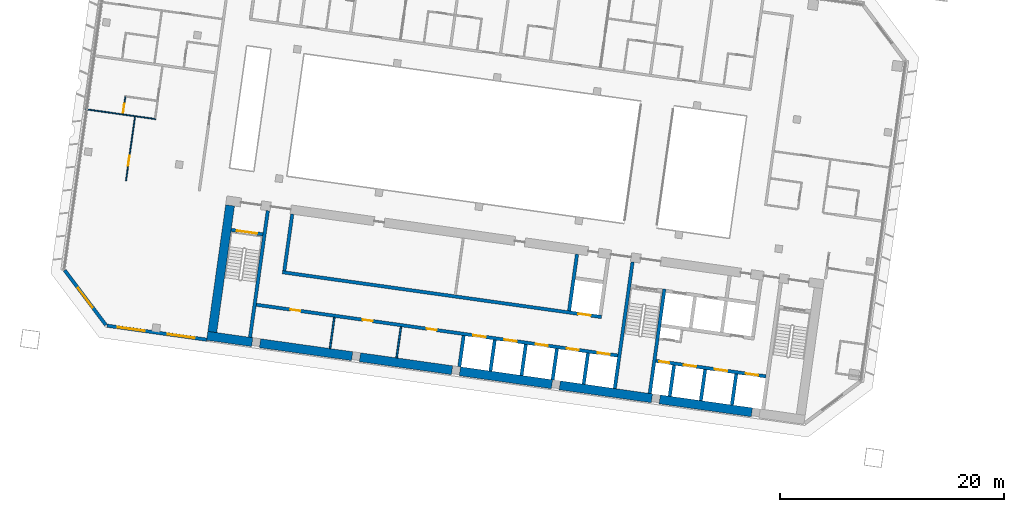
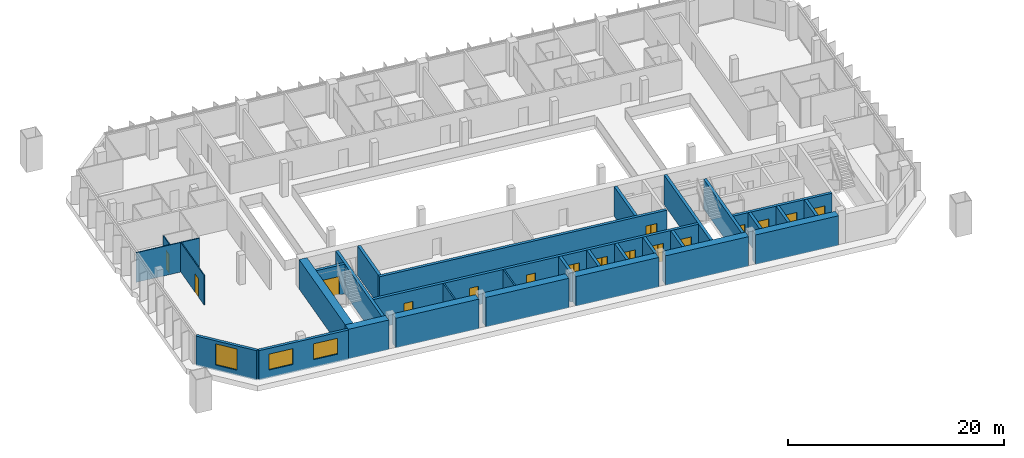
# One storey, part 15 of 26: 31 walls, 16 doors, 3 windows, 19 openings.
"""IFC4 building model written with IfcOpenShell, lengths in metres."""

from ifc_helpers import new_model, si_unit, direction, frame, frame_2d, origin, place, context, subcontext, project, spatial, rectangle, extrude, material, layer, layer_set, type_object, element, fill, save


model = new_model("IFC4")

# Units and contexts
model_context = context("Model", 3, precision=1e-05, world=origin(), true_north=direction((0.0, 1.0)))
body_context = subcontext(model_context, "Body", "Model", "MODEL_VIEW")
ifc_project = project(units=[si_unit("LENGTHUNIT", "METRE"), si_unit("AREAUNIT", "SQUARE_METRE"), si_unit("VOLUMEUNIT", "CUBIC_METRE"), si_unit("PLANEANGLEUNIT", "RADIAN"), si_unit("MASSUNIT", "GRAM", prefix="KILO")], contexts=[model_context])

# Site, building, storey
site_placement = place(None, origin())
site = spatial("IfcSite", under=ifc_project, at=site_placement, CompositionType="ELEMENT")
building_placement = place(site_placement, origin())
building = spatial("IfcBuilding", under=site, at=building_placement, Name="Mirante Cascada Hotel Towers", CompositionType="ELEMENT")
storey_placement = place(building_placement, frame((0.0, 0.0, 144.3)))
storey = spatial("IfcBuildingStorey", under=building, at=storey_placement, Name="L33", CompositionType="ELEMENT", Elevation=144.3)

# Walls
ifc_material_1 = material(Name="Masonry block", Category="masonry")
ifc_layer_1 = layer(ifc_material_1, 0.15)
ifc_layer_set_1 = layer_set([ifc_layer_1], Name="Core room partition 150 block EI 30")
wall_type_1 = type_object("IfcWallType", Name="Core room partition 150 block EI 30", PredefinedType="PARTITIONING", material=ifc_layer_set_1)
wall_1_placement = place(storey_placement, frame((-73.5161, -14.1621, 0.0), z_axis=(0.0, 0.0, 1.0), x_axis=(0.139176, 0.9902677, 0.0)))
element("IfcWall", 1, at=wall_1_placement, inside=storey, type_object=wall_type_1, Name="Core wall partition T1 L33 4", PredefinedType="PARTITIONING", context=body_context, shape_type="SweptSolid", body=[
    extrude(rectangle(XDim=2.8001, YDim=0.15, at=frame_2d((1.4, 0.0))), origin(), (0.0, 0.0, 1.0), 3.35),
])
wall_2_placement = place(storey_placement, frame((-79.4577, -13.327, 0.0), z_axis=(0.0, 0.0, 1.0), x_axis=(0.1391459, 0.9902719, 0.0)))
element("IfcWall", 2, at=wall_2_placement, inside=storey, type_object=wall_type_1, Name="Core wall partition T1 L33 5", PredefinedType="PARTITIONING", context=body_context, shape_type="SweptSolid", body=[
    extrude(rectangle(XDim=2.7999, YDim=0.15, at=frame_2d((1.4, 0.0))), origin(), (0.0, 0.0, 1.0), 3.35),
])
ifc_material_2 = material(Name="Plasterboard on metal studs")
ifc_layer_2 = layer(ifc_material_2, 0.1)
ifc_layer_set_2 = layer_set([ifc_layer_2], Name="Partition 100")
wall_type_2 = type_object("IfcWallType", Name="Partition 100", PredefinedType="PARTITIONING", material=ifc_layer_set_2)
wall_3_placement = place(storey_placement, frame((-101.2993, 8.0205, 0.0), z_axis=(0.0, 0.0, 1.0), x_axis=(0.990267, -0.139181, 0.0)))
element("IfcWall", 3, at=wall_3_placement, inside=storey, type_object=wall_type_2, Name="Wall 1-L33-07", PredefinedType="PARTITIONING", context=body_context, shape_type="SweptSolid", body=[
    extrude(rectangle(XDim=6.35, YDim=0.1, at=frame_2d((3.175, 0.0))), origin(), (0.0, 0.0, 1.0), 3.35),
])

# Wall, opening, door
wall_4_placement = place(storey_placement, frame((-96.8501, 7.3447, 0.0), z_axis=(0.0, 0.0, 1.0), x_axis=(-0.139164, -0.9902694, 0.0)))
wall_4 = element("IfcWall", 4, at=wall_4_placement, inside=storey, type_object=wall_type_2, Name="Wall 1-L33-61", PredefinedType="PARTITIONING", context=body_context, shape_type="SweptSolid", body=[
    extrude(rectangle(XDim=5.7501, YDim=0.1, at=frame_2d((2.875, 0.0))), origin(), (0.0, 0.0, 1.0), 3.35),
])
opening_1_placement = place(wall_4_placement, frame((3.5167, 0.0, 0.0)))
opening_1 = element("IfcOpeningElement", 5, at=opening_1_placement, cuts=wall_4, Name="Opening D1-L33-37", PredefinedType="OPENING", context=body_context, shape_type="SweptSolid", body=[
    extrude(rectangle(XDim=0.9, YDim=2.1, at=frame_2d((0.45, 1.05))), frame((0.0, 0.05, 0.0), z_axis=(0.0, -1.0, 0.0), x_axis=(1.0, 0.0, 0.0)), (0.0, 0.0, 1.0), 0.1),
])
ifc_material_3 = material(Name="Timber door leaf", Category="wood")
door_type_1 = type_object("IfcDoorType", Name="Room door DG3 900x2100", OperationType="SINGLE_SWING_LEFT", PredefinedType="DOOR", material=ifc_material_3)
door_1_placement = place(opening_1_placement, origin())
door_1 = element("IfcDoor", 6, at=door_1_placement, inside=storey, type_object=door_type_1, Name="Door D1-L33-37", OperationType="SINGLE_SWING_LEFT", OverallHeight=2.1, OverallWidth=0.9, PredefinedType="DOOR", context=body_context, shape_type="SweptSolid", body=[
    extrude(rectangle(XDim=0.9, YDim=2.1, at=frame_2d((0.45, 1.05))), frame((0.0, 0.025, 0.0), z_axis=(0.0, -1.0, 0.0), x_axis=(1.0, 0.0, 0.0)), (0.0, 0.0, 1.0), 0.05),
])
fill(opening_1, door_1)

wall_5_placement = place(storey_placement, frame((-97.712, 9.1152, 0.0), z_axis=(0.0, 0.0, 1.0), x_axis=(-0.1391749, -0.9902678, 0.0)))
wall_5 = element("IfcWall", 7, at=wall_5_placement, inside=storey, type_object=wall_type_2, Name="Wall 1-L33-63", PredefinedType="PARTITIONING", context=body_context, shape_type="SweptSolid", body=[
    extrude(rectangle(XDim=1.5333, YDim=0.1, at=frame_2d((0.7667, 0.0))), origin(), (0.0, 0.0, 1.0), 3.35),
])
opening_2_placement = place(wall_5_placement, frame((0.6333, 0.0, 0.0)))
opening_2 = element("IfcOpeningElement", 8, at=opening_2_placement, cuts=wall_5, Name="Opening D1-L33-39", PredefinedType="OPENING", context=body_context, shape_type="SweptSolid", body=[
    extrude(rectangle(XDim=0.8, YDim=2.1, at=frame_2d((0.4, 1.05))), frame((0.0, 0.05, 0.0), z_axis=(0.0, -1.0, 0.0), x_axis=(1.0, 0.0, 0.0)), (0.0, 0.0, 1.0), 0.1),
])
ifc_material_4 = material(Name="Timber door leaf", Category="wood")
door_type_2 = type_object("IfcDoorType", Name="Bathroom door DG4 800x2100", OperationType="SINGLE_SWING_LEFT", PredefinedType="DOOR", material=ifc_material_4)
door_2_placement = place(opening_2_placement, frame((0.8, 0.0, 0.0), z_axis=(0.0, 0.0, 1.0), x_axis=(-1.0, 0.0, 0.0)))
door_2 = element("IfcDoor", 9, at=door_2_placement, inside=storey, type_object=door_type_2, Name="Door D1-L33-39", OperationType="SINGLE_SWING_RIGHT", OverallHeight=2.1, OverallWidth=0.8, PredefinedType="DOOR", context=body_context, shape_type="SweptSolid", body=[
    extrude(rectangle(XDim=0.8, YDim=2.1, at=frame_2d((0.4, 1.05))), frame((0.0, 0.025, 0.0), z_axis=(0.0, -1.0, 0.0), x_axis=(1.0, 0.0, 0.0)), (0.0, 0.0, 1.0), 0.05),
])
fill(opening_2, door_2)

# Wall, openings, windows
ifc_material_5 = material(Name="Precast concrete C40/50", Category="concrete")
ifc_layer_3 = layer(ifc_material_5, 0.3)
ifc_layer_set_3 = layer_set([ifc_layer_3], Name="Precast concrete C40/50 cladding wall 300")
wall_type_3 = type_object("IfcWallType", Name="Precast concrete C40/50 cladding wall 300", PredefinedType="STANDARD", material=ifc_layer_set_3)
wall_6_placement = place(storey_placement, frame((-90.4551, -12.5388, 0.0), z_axis=(0.0, 0.0, 1.0), x_axis=(-0.9902678, 0.1391749, 0.0)))
wall_6 = element("IfcWall", 10, at=wall_6_placement, inside=storey, type_object=wall_type_3, Name="Rear cladding wall T1 L33 1", PredefinedType="STANDARD", context=body_context, shape_type="SweptSolid", body=[
    extrude(rectangle(XDim=8.9758, YDim=0.3, at=frame_2d((4.4879, 0.0))), origin(), (0.0, 0.0, 1.0), 3.35),
])
opening_3_placement = place(wall_6_placement, frame((1.1012, 0.0, 0.9)))
opening_3 = element("IfcOpeningElement", 11, at=opening_3_placement, cuts=wall_6, Name="Opening W1-33-01", PredefinedType="OPENING", context=body_context, shape_type="SweptSolid", body=[
    extrude(rectangle(XDim=2.4, YDim=1.8, at=frame_2d((1.2, 0.9))), frame((0.0, 0.15, 0.0), z_axis=(0.0, -1.0, 0.0), x_axis=(1.0, 0.0, 0.0)), (0.0, 0.0, 1.0), 0.3),
])
opening_4_placement = place(wall_6_placement, frame((5.5923, 0.0, 0.9)))
opening_4 = element("IfcOpeningElement", 12, at=opening_4_placement, cuts=wall_6, Name="Opening W1-33-02", PredefinedType="OPENING", context=body_context, shape_type="SweptSolid", body=[
    extrude(rectangle(XDim=2.4, YDim=1.8, at=frame_2d((1.2, 0.9))), frame((0.0, 0.15, 0.0), z_axis=(0.0, -1.0, 0.0), x_axis=(1.0, 0.0, 0.0)), (0.0, 0.0, 1.0), 0.3),
])
ifc_material_6 = material(Name="Aluminium frame with clear double glazing", Category="aluminium")
window_type_1 = type_object("IfcWindowType", Name="Punched window 2400x1800", PartitioningType="DOUBLE_PANEL_VERTICAL", PredefinedType="WINDOW", material=ifc_material_6)
window_1_placement = place(opening_3_placement, origin())
window_1 = element("IfcWindow", 13, at=window_1_placement, inside=storey, type_object=window_type_1, Name="Window W1-33-01", OverallHeight=1.8, OverallWidth=2.4, PartitioningType="SINGLE_PANEL", PredefinedType="WINDOW", context=body_context, shape_type="SweptSolid", body=[
    extrude(rectangle(XDim=2.4, YDim=1.8, at=frame_2d((1.2, 0.9))), frame((0.0, 0.03, 0.0), z_axis=(0.0, -1.0, 0.0), x_axis=(1.0, 0.0, 0.0)), (0.0, 0.0, 1.0), 0.06),
])
fill(opening_3, window_1)
window_2_placement = place(opening_4_placement, origin())
window_2 = element("IfcWindow", 14, at=window_2_placement, inside=storey, type_object=window_type_1, Name="Window W1-33-02", OverallHeight=1.8, OverallWidth=2.4, PartitioningType="SINGLE_PANEL", PredefinedType="WINDOW", context=body_context, shape_type="SweptSolid", body=[
    extrude(rectangle(XDim=2.4, YDim=1.8, at=frame_2d((1.2, 0.9))), frame((0.0, 0.03, 0.0), z_axis=(0.0, -1.0, 0.0), x_axis=(1.0, 0.0, 0.0)), (0.0, 0.0, 1.0), 0.06),
])
fill(opening_4, window_2)

# Wall, opening, window
wall_7_placement = place(storey_placement, frame((-99.4424, -11.2313, 0.0), z_axis=(0.0, 0.0, 1.0), x_axis=(-0.6018194, 0.7986322, 0.0)))
wall_7 = element("IfcWall", 15, at=wall_7_placement, inside=storey, type_object=wall_type_3, Name="Corner cladding wall T1 L33 rear outer", PredefinedType="STANDARD", context=body_context, shape_type="SweptSolid", body=[
    extrude(rectangle(XDim=6.1155, YDim=0.3, at=frame_2d((3.0578, 0.0))), origin(), (0.0, 0.0, 1.0), 3.35),
])
opening_5_placement = place(wall_7_placement, frame((1.9576, 0.0, 0.6)))
opening_5 = element("IfcOpeningElement", 16, at=opening_5_placement, cuts=wall_7, Name="Opening W1-33-03", PredefinedType="OPENING", context=body_context, shape_type="SweptSolid", body=[
    extrude(rectangle(XDim=2.2, YDim=2.4, at=frame_2d((1.1, 1.2))), frame((0.0, 0.15, 0.0), z_axis=(0.0, -1.0, 0.0), x_axis=(1.0, 0.0, 0.0)), (0.0, 0.0, 1.0), 0.3),
])
ifc_material_7 = material(Name="Aluminium frame with clear double glazing", Category="aluminium")
window_type_2 = type_object("IfcWindowType", Name="Corner suite window 2200x2400", PartitioningType="DOUBLE_PANEL_VERTICAL", PredefinedType="WINDOW", material=ifc_material_7)
window_3_placement = place(opening_5_placement, origin())
window_3 = element("IfcWindow", 17, at=window_3_placement, inside=storey, type_object=window_type_2, Name="Window W1-33-03", OverallHeight=2.4, OverallWidth=2.2, PartitioningType="SINGLE_PANEL", PredefinedType="WINDOW", context=body_context, shape_type="SweptSolid", body=[
    extrude(rectangle(XDim=2.2, YDim=2.4, at=frame_2d((1.1, 1.2))), frame((0.0, 0.03, 0.0), z_axis=(0.0, -1.0, 0.0), x_axis=(1.0, 0.0, 0.0)), (0.0, 0.0, 1.0), 0.06),
])
fill(opening_5, window_3)

# Walls
ifc_material_8 = material(Name="Concrete C50/60", Category="concrete")
ifc_layer_4 = layer(ifc_material_8, 0.3)
ifc_layer_set_4 = layer_set([ifc_layer_4], Name="RC core wall 300 C50/60")
wall_type_4 = type_object("IfcWallType", Name="RC core wall 300 C50/60", PredefinedType="SHEAR", material=ifc_layer_set_4)
wall_8_placement = place(storey_placement, frame((-50.938, -17.3352, 0.0), z_axis=(0.0, 0.0, 1.0), x_axis=(0.1391706, 0.9902684, 0.0)))
element("IfcWall", 18, at=wall_8_placement, inside=storey, type_object=wall_type_4, Name="Core wall T1:L33:6", PredefinedType="SHEAR", context=body_context, shape_type="SweptSolid", body=[
    extrude(rectangle(XDim=9.4, YDim=0.3, at=frame_2d((4.7, 0.0))), origin(), (0.0, 0.0, 1.0), 3.35),
])
wall_9_placement = place(storey_placement, frame((-54.0574, -16.8968, 0.0), z_axis=(0.0, 0.0, 1.0), x_axis=(0.1391761, 0.9902677, 0.0)))
element("IfcWall", 19, at=wall_9_placement, inside=storey, type_object=wall_type_4, Name="Core wall T1:L33:7", PredefinedType="SHEAR", context=body_context, shape_type="SweptSolid", body=[
    extrude(rectangle(XDim=11.3999, YDim=0.3, at=frame_2d((5.7, 0.0))), origin(), (0.0, 0.0, 1.0), 3.35),
])
wall_10_placement = place(storey_placement, frame((-86.5877, -12.325, 0.0), z_axis=(0.0, 0.0, 1.0), x_axis=(0.1391749, 0.9902678, 0.0)))
element("IfcWall", 20, at=wall_10_placement, inside=storey, type_object=wall_type_4, Name="Core wall T1:L33:8", PredefinedType="SHEAR", context=body_context, shape_type="SweptSolid", body=[
    extrude(rectangle(XDim=11.4, YDim=0.3, at=frame_2d((5.7, 0.0))), origin(), (0.0, 0.0, 1.0), 3.35),
])

# Wall, opening, door
wall_11_placement = place(storey_placement, frame((-85.4489, -3.1441, 0.0), z_axis=(0.0, 0.0, 1.0), x_axis=(-0.9902697, 0.1391613, 0.0)))
wall_11 = element("IfcWall", 21, at=wall_11_placement, inside=storey, type_object=wall_type_4, Name="Core wall T1:L33:11", PredefinedType="SHEAR", context=body_context, shape_type="SweptSolid", body=[
    extrude(rectangle(XDim=2.8499, YDim=0.3, at=frame_2d((1.425, 0.0))), origin(), (0.0, 0.0, 1.0), 3.35),
])
opening_6_placement = place(wall_11_placement, frame((0.525, 0.0, 0.0)))
opening_6 = element("IfcOpeningElement", 22, at=opening_6_placement, cuts=wall_11, Name="Opening D1-33-C17", PredefinedType="OPENING", context=body_context, shape_type="SweptSolid", body=[
    extrude(rectangle(XDim=1.8, YDim=2.1, at=frame_2d((0.9, 1.05))), frame((0.0, 0.15, 0.0), z_axis=(0.0, -1.0, 0.0), x_axis=(1.0, 0.0, 0.0)), (0.0, 0.0, 1.0), 0.3),
])
ifc_material_9 = material(Name="Hollow metal fire door leaf")
door_type_3 = type_object("IfcDoorType", Name="Double fire door 1800x2100 FD60", OperationType="DOUBLE_DOOR_SINGLE_SWING", PredefinedType="DOOR", material=ifc_material_9)
door_3_placement = place(opening_6_placement, origin())
door_3 = element("IfcDoor", 23, at=door_3_placement, inside=storey, type_object=door_type_3, Name="Stair door T1 L33 17", OperationType="DOUBLE_DOOR_SINGLE_SWING", OverallHeight=2.1, OverallWidth=1.8, PredefinedType="DOOR", context=body_context, shape_type="SweptSolid", body=[
    extrude(rectangle(XDim=0.895, YDim=2.1, at=frame_2d((0.4475, 1.05))), frame((0.0, 0.025, 0.0), z_axis=(0.0, -1.0, 0.0), x_axis=(1.0, 0.0, 0.0)), (0.0, 0.0, 1.0), 0.05),
    extrude(rectangle(XDim=0.895, YDim=2.1, at=frame_2d((1.3525, 1.05))), frame((0.0, 0.025, 0.0), z_axis=(0.0, -1.0, 0.0), x_axis=(1.0, 0.0, 0.0)), (0.0, 0.0, 1.0), 0.05),
])
fill(opening_6, door_3)

# Wall, openings, doors
wall_12_placement = place(storey_placement, frame((-40.5753, -15.8126, 0.0), z_axis=(0.0, 0.0, 1.0), x_axis=(-0.9902682, 0.1391725, 0.0)))
wall_12 = element("IfcWall", 24, at=wall_12_placement, inside=storey, type_object=wall_type_4, Name="Core wall T1:L33:12", PredefinedType="SHEAR", context=body_context, shape_type="SweptSolid", body=[
    extrude(rectangle(XDim=9.8999, YDim=0.3, at=frame_2d((4.95, 0.0))), origin(), (0.0, 0.0, 1.0), 3.35),
])
opening_7_placement = place(wall_12_placement, frame((0.7, 0.0, 0.0)))
opening_7 = element("IfcOpeningElement", 25, at=opening_7_placement, cuts=wall_12, Name="Opening LD", PredefinedType="OPENING", context=body_context, shape_type="SweptSolid", body=[
    extrude(rectangle(XDim=1.1, YDim=2.1, at=frame_2d((0.55, 1.05))), frame((0.0, 0.15, 0.0), z_axis=(0.0, -1.0, 0.0), x_axis=(1.0, 0.0, 0.0)), (0.0, 0.0, 1.0), 0.3),
])
opening_8_placement = place(wall_12_placement, frame((3.5, 0.0, 0.0)))
opening_8 = element("IfcOpeningElement", 26, at=opening_8_placement, cuts=wall_12, Name="Opening LD", PredefinedType="OPENING", context=body_context, shape_type="SweptSolid", body=[
    extrude(rectangle(XDim=1.1, YDim=2.1, at=frame_2d((0.55, 1.05))), frame((0.0, 0.15, 0.0), z_axis=(0.0, -1.0, 0.0), x_axis=(1.0, 0.0, 0.0)), (0.0, 0.0, 1.0), 0.3),
])
opening_9_placement = place(wall_12_placement, frame((6.3, 0.0, 0.0)))
opening_9 = element("IfcOpeningElement", 27, at=opening_9_placement, cuts=wall_12, Name="Opening LD", PredefinedType="OPENING", context=body_context, shape_type="SweptSolid", body=[
    extrude(rectangle(XDim=1.1, YDim=2.1, at=frame_2d((0.55, 1.05))), frame((0.0, 0.15, 0.0), z_axis=(0.0, -1.0, 0.0), x_axis=(1.0, 0.0, 0.0)), (0.0, 0.0, 1.0), 0.3),
])
opening_10_placement = place(wall_12_placement, frame((8.7, 0.0, 0.0)))
opening_10 = element("IfcOpeningElement", 28, at=opening_10_placement, cuts=wall_12, Name="Opening D1-33-C22", PredefinedType="OPENING", context=body_context, shape_type="SweptSolid", body=[
    extrude(rectangle(XDim=0.9, YDim=2.1, at=frame_2d((0.45, 1.05))), frame((0.0, 0.15, 0.0), z_axis=(0.0, -1.0, 0.0), x_axis=(1.0, 0.0, 0.0)), (0.0, 0.0, 1.0), 0.3),
])
ifc_material_10 = material(Name="Hollow metal fire door leaf")
door_type_4 = type_object("IfcDoorType", Name="Fire door 900x2100 FD60", OperationType="NOTDEFINED", PredefinedType="DOOR", material=ifc_material_10)
door_4_placement = place(opening_10_placement, origin())
door_4 = element("IfcDoor", 29, at=door_4_placement, inside=storey, type_object=door_type_4, Name="Riser door T1 L33 22", OperationType="SINGLE_SWING_LEFT", OverallHeight=2.1, OverallWidth=0.9, PredefinedType="DOOR", context=body_context, shape_type="SweptSolid", body=[
    extrude(rectangle(XDim=0.9, YDim=2.1, at=frame_2d((0.45, 1.05))), frame((0.0, 0.025, 0.0), z_axis=(0.0, -1.0, 0.0), x_axis=(1.0, 0.0, 0.0)), (0.0, 0.0, 1.0), 0.05),
])
fill(opening_10, door_4)
ifc_material_11 = material(Name="Stainless steel", Category="steel")
door_type_5 = type_object("IfcDoorType", Name="Lift landing door 1100x2100 EI 120", OperationType="DOUBLE_DOOR_SLIDING", PredefinedType="DOOR", material=ifc_material_11)
door_5_placement = place(opening_7_placement, origin())
door_5 = element("IfcDoor", 30, at=door_5_placement, inside=storey, type_object=door_type_5, Name="Lift landing door HR1-1 L33", OperationType="DOUBLE_DOOR_SLIDING", OverallHeight=2.1, OverallWidth=1.1, PredefinedType="DOOR", context=body_context, shape_type="SweptSolid", body=[
    extrude(rectangle(XDim=0.545, YDim=2.1, at=frame_2d((0.2725, 1.05))), frame((0.0, 0.025, 0.0), z_axis=(0.0, -1.0, 0.0), x_axis=(1.0, 0.0, 0.0)), (0.0, 0.0, 1.0), 0.05),
    extrude(rectangle(XDim=0.545, YDim=2.1, at=frame_2d((0.8275, 1.05))), frame((0.0, 0.025, 0.0), z_axis=(0.0, -1.0, 0.0), x_axis=(1.0, 0.0, 0.0)), (0.0, 0.0, 1.0), 0.05),
])
fill(opening_7, door_5)
door_6_placement = place(opening_8_placement, origin())
door_6 = element("IfcDoor", 31, at=door_6_placement, inside=storey, type_object=door_type_5, Name="Lift landing door HR1-2 L33", OperationType="DOUBLE_DOOR_SLIDING", OverallHeight=2.1, OverallWidth=1.1, PredefinedType="DOOR", context=body_context, shape_type="SweptSolid", body=[
    extrude(rectangle(XDim=0.545, YDim=2.1, at=frame_2d((0.2725, 1.05))), frame((0.0, 0.025, 0.0), z_axis=(0.0, -1.0, 0.0), x_axis=(1.0, 0.0, 0.0)), (0.0, 0.0, 1.0), 0.05),
    extrude(rectangle(XDim=0.545, YDim=2.1, at=frame_2d((0.8275, 1.05))), frame((0.0, 0.025, 0.0), z_axis=(0.0, -1.0, 0.0), x_axis=(1.0, 0.0, 0.0)), (0.0, 0.0, 1.0), 0.05),
])
fill(opening_8, door_6)
door_7_placement = place(opening_9_placement, origin())
door_7 = element("IfcDoor", 32, at=door_7_placement, inside=storey, type_object=door_type_5, Name="Lift landing door HR1-3 L33", OperationType="DOUBLE_DOOR_SLIDING", OverallHeight=2.1, OverallWidth=1.1, PredefinedType="DOOR", context=body_context, shape_type="SweptSolid", body=[
    extrude(rectangle(XDim=0.545, YDim=2.1, at=frame_2d((0.2725, 1.05))), frame((0.0, 0.025, 0.0), z_axis=(0.0, -1.0, 0.0), x_axis=(1.0, 0.0, 0.0)), (0.0, 0.0, 1.0), 0.05),
    extrude(rectangle(XDim=0.545, YDim=2.1, at=frame_2d((0.8275, 1.05))), frame((0.0, 0.025, 0.0), z_axis=(0.0, -1.0, 0.0), x_axis=(1.0, 0.0, 0.0)), (0.0, 0.0, 1.0), 0.05),
])
fill(opening_9, door_7)

# Walls
wall_13_placement = place(storey_placement, frame((-43.61, -18.3651, 0.0), z_axis=(0.0, 0.0, 1.0), x_axis=(0.1391459, 0.9902719, 0.0)))
element("IfcWall", 33, at=wall_13_placement, inside=storey, type_object=wall_type_4, Name="Core wall T1:L33:15", PredefinedType="SHEAR", context=body_context, shape_type="SweptSolid", body=[
    extrude(rectangle(XDim=2.7999, YDim=0.3, at=frame_2d((1.4, 0.0))), origin(), (0.0, 0.0, 1.0), 3.35),
])
wall_14_placement = place(storey_placement, frame((-46.3828, -17.9754, 0.0), z_axis=(0.0, 0.0, 1.0), x_axis=(0.139181, 0.990267, 0.0)))
element("IfcWall", 34, at=wall_14_placement, inside=storey, type_object=wall_type_4, Name="Core wall T1:L33:16", PredefinedType="SHEAR", context=body_context, shape_type="SweptSolid", body=[
    extrude(rectangle(XDim=2.8, YDim=0.3, at=frame_2d((1.4, 0.0))), origin(), (0.0, 0.0, 1.0), 3.35),
])
wall_15_placement = place(storey_placement, frame((-49.1555, -17.5857, 0.0), z_axis=(0.0, 0.0, 1.0), x_axis=(0.1391459, 0.9902719, 0.0)))
element("IfcWall", 35, at=wall_15_placement, inside=storey, type_object=wall_type_4, Name="Core wall T1:L33:17", PredefinedType="SHEAR", context=body_context, shape_type="SweptSolid", body=[
    extrude(rectangle(XDim=2.7999, YDim=0.3, at=frame_2d((1.4, 0.0))), origin(), (0.0, 0.0, 1.0), 3.35),
])

# Wall, openings, doors
wall_16_placement = place(storey_placement, frame((-53.7953, -13.9547, 0.0), z_axis=(0.0, 0.0, 1.0), x_axis=(-0.990268, 0.1391733, 0.0)))
wall_16 = element("IfcWall", 36, at=wall_16_placement, inside=storey, type_object=wall_type_4, Name="Core wall T1:L33:24", PredefinedType="SHEAR", context=body_context, shape_type="SweptSolid", body=[
    extrude(rectangle(XDim=32.5501, YDim=0.3, at=frame_2d((16.275, 0.0))), origin(), (0.0, 0.0, 1.0), 3.35),
])
opening_11_placement = place(wall_16_placement, frame((0.7, 0.0, 0.0)))
opening_11 = element("IfcOpeningElement", 37, at=opening_11_placement, cuts=wall_16, Name="Opening LD", PredefinedType="OPENING", context=body_context, shape_type="SweptSolid", body=[
    extrude(rectangle(XDim=1.1, YDim=2.1, at=frame_2d((0.55, 1.05))), frame((0.0, 0.15, 0.0), z_axis=(0.0, -1.0, 0.0), x_axis=(1.0, 0.0, 0.0)), (0.0, 0.0, 1.0), 0.3),
])
opening_12_placement = place(wall_16_placement, frame((3.5, 0.0, 0.0)))
opening_12 = element("IfcOpeningElement", 38, at=opening_12_placement, cuts=wall_16, Name="Opening LD", PredefinedType="OPENING", context=body_context, shape_type="SweptSolid", body=[
    extrude(rectangle(XDim=1.1, YDim=2.1, at=frame_2d((0.55, 1.05))), frame((0.0, 0.15, 0.0), z_axis=(0.0, -1.0, 0.0), x_axis=(1.0, 0.0, 0.0)), (0.0, 0.0, 1.0), 0.3),
])
opening_13_placement = place(wall_16_placement, frame((6.3, 0.0, 0.0)))
opening_13 = element("IfcOpeningElement", 39, at=opening_13_placement, cuts=wall_16, Name="Opening LD", PredefinedType="OPENING", context=body_context, shape_type="SweptSolid", body=[
    extrude(rectangle(XDim=1.1, YDim=2.1, at=frame_2d((0.55, 1.05))), frame((0.0, 0.15, 0.0), z_axis=(0.0, -1.0, 0.0), x_axis=(1.0, 0.0, 0.0)), (0.0, 0.0, 1.0), 0.3),
])
opening_14_placement = place(wall_16_placement, frame((9.1, 0.0, 0.0)))
opening_14 = element("IfcOpeningElement", 40, at=opening_14_placement, cuts=wall_16, Name="Opening LD", PredefinedType="OPENING", context=body_context, shape_type="SweptSolid", body=[
    extrude(rectangle(XDim=1.1, YDim=2.1, at=frame_2d((0.55, 1.05))), frame((0.0, 0.15, 0.0), z_axis=(0.0, -1.0, 0.0), x_axis=(1.0, 0.0, 0.0)), (0.0, 0.0, 1.0), 0.3),
])
opening_15_placement = place(wall_16_placement, frame((11.9, 0.0, 0.0)))
opening_15 = element("IfcOpeningElement", 41, at=opening_15_placement, cuts=wall_16, Name="Opening LD", PredefinedType="OPENING", context=body_context, shape_type="SweptSolid", body=[
    extrude(rectangle(XDim=1.1, YDim=2.1, at=frame_2d((0.55, 1.05))), frame((0.0, 0.15, 0.0), z_axis=(0.0, -1.0, 0.0), x_axis=(1.0, 0.0, 0.0)), (0.0, 0.0, 1.0), 0.3),
])
opening_16_placement = place(wall_16_placement, frame((16.3, 0.0, 0.0)))
opening_16 = element("IfcOpeningElement", 42, at=opening_16_placement, cuts=wall_16, Name="Opening D1-33-C25", PredefinedType="OPENING", context=body_context, shape_type="SweptSolid", body=[
    extrude(rectangle(XDim=0.9, YDim=2.1, at=frame_2d((0.45, 1.05))), frame((0.0, 0.15, 0.0), z_axis=(0.0, -1.0, 0.0), x_axis=(1.0, 0.0, 0.0)), (0.0, 0.0, 1.0), 0.3),
])
opening_17_placement = place(wall_16_placement, frame((22.05, 0.0, 0.0)))
opening_17 = element("IfcOpeningElement", 43, at=opening_17_placement, cuts=wall_16, Name="Opening D1-33-C26", PredefinedType="OPENING", context=body_context, shape_type="SweptSolid", body=[
    extrude(rectangle(XDim=0.9, YDim=2.1, at=frame_2d((0.45, 1.05))), frame((0.0, 0.15, 0.0), z_axis=(0.0, -1.0, 0.0), x_axis=(1.0, 0.0, 0.0)), (0.0, 0.0, 1.0), 0.3),
])
opening_18_placement = place(wall_16_placement, frame((28.575, 0.0, 0.0)))
opening_18 = element("IfcOpeningElement", 44, at=opening_18_placement, cuts=wall_16, Name="Opening D1-33-C27", PredefinedType="OPENING", context=body_context, shape_type="SweptSolid", body=[
    extrude(rectangle(XDim=0.9, YDim=2.1, at=frame_2d((0.45, 1.05))), frame((0.0, 0.15, 0.0), z_axis=(0.0, -1.0, 0.0), x_axis=(1.0, 0.0, 0.0)), (0.0, 0.0, 1.0), 0.3),
])
door_8_placement = place(opening_16_placement, origin())
door_8 = element("IfcDoor", 45, at=door_8_placement, inside=storey, type_object=door_type_4, Name="Room door T1 L33 25", OperationType="SINGLE_SWING_LEFT", OverallHeight=2.1, OverallWidth=0.9, PredefinedType="DOOR", context=body_context, shape_type="SweptSolid", body=[
    extrude(rectangle(XDim=0.9, YDim=2.1, at=frame_2d((0.45, 1.05))), frame((0.0, 0.025, 0.0), z_axis=(0.0, -1.0, 0.0), x_axis=(1.0, 0.0, 0.0)), (0.0, 0.0, 1.0), 0.05),
])
fill(opening_16, door_8)
door_9_placement = place(opening_17_placement, origin())
door_9 = element("IfcDoor", 46, at=door_9_placement, inside=storey, type_object=door_type_4, Name="Room door T1 L33 26", OperationType="SINGLE_SWING_LEFT", OverallHeight=2.1, OverallWidth=0.9, PredefinedType="DOOR", context=body_context, shape_type="SweptSolid", body=[
    extrude(rectangle(XDim=0.9, YDim=2.1, at=frame_2d((0.45, 1.05))), frame((0.0, 0.025, 0.0), z_axis=(0.0, -1.0, 0.0), x_axis=(1.0, 0.0, 0.0)), (0.0, 0.0, 1.0), 0.05),
])
fill(opening_17, door_9)
door_10_placement = place(opening_18_placement, origin())
door_10 = element("IfcDoor", 47, at=door_10_placement, inside=storey, type_object=door_type_4, Name="Room door T1 L33 27", OperationType="SINGLE_SWING_LEFT", OverallHeight=2.1, OverallWidth=0.9, PredefinedType="DOOR", context=body_context, shape_type="SweptSolid", body=[
    extrude(rectangle(XDim=0.9, YDim=2.1, at=frame_2d((0.45, 1.05))), frame((0.0, 0.025, 0.0), z_axis=(0.0, -1.0, 0.0), x_axis=(1.0, 0.0, 0.0)), (0.0, 0.0, 1.0), 0.05),
])
fill(opening_18, door_10)
door_11_placement = place(opening_11_placement, origin())
door_11 = element("IfcDoor", 48, at=door_11_placement, inside=storey, type_object=door_type_5, Name="Lift landing door LR1-1 L33", OperationType="DOUBLE_DOOR_SLIDING", OverallHeight=2.1, OverallWidth=1.1, PredefinedType="DOOR", context=body_context, shape_type="SweptSolid", body=[
    extrude(rectangle(XDim=0.545, YDim=2.1, at=frame_2d((0.2725, 1.05))), frame((0.0, 0.025, 0.0), z_axis=(0.0, -1.0, 0.0), x_axis=(1.0, 0.0, 0.0)), (0.0, 0.0, 1.0), 0.05),
    extrude(rectangle(XDim=0.545, YDim=2.1, at=frame_2d((0.8275, 1.05))), frame((0.0, 0.025, 0.0), z_axis=(0.0, -1.0, 0.0), x_axis=(1.0, 0.0, 0.0)), (0.0, 0.0, 1.0), 0.05),
])
fill(opening_11, door_11)
door_12_placement = place(opening_12_placement, origin())
door_12 = element("IfcDoor", 49, at=door_12_placement, inside=storey, type_object=door_type_5, Name="Lift landing door LR1-2 L33", OperationType="DOUBLE_DOOR_SLIDING", OverallHeight=2.1, OverallWidth=1.1, PredefinedType="DOOR", context=body_context, shape_type="SweptSolid", body=[
    extrude(rectangle(XDim=0.545, YDim=2.1, at=frame_2d((0.2725, 1.05))), frame((0.0, 0.025, 0.0), z_axis=(0.0, -1.0, 0.0), x_axis=(1.0, 0.0, 0.0)), (0.0, 0.0, 1.0), 0.05),
    extrude(rectangle(XDim=0.545, YDim=2.1, at=frame_2d((0.8275, 1.05))), frame((0.0, 0.025, 0.0), z_axis=(0.0, -1.0, 0.0), x_axis=(1.0, 0.0, 0.0)), (0.0, 0.0, 1.0), 0.05),
])
fill(opening_12, door_12)
door_13_placement = place(opening_13_placement, origin())
door_13 = element("IfcDoor", 50, at=door_13_placement, inside=storey, type_object=door_type_5, Name="Lift landing door SV1-1 L33", OperationType="DOUBLE_DOOR_SLIDING", OverallHeight=2.1, OverallWidth=1.1, PredefinedType="DOOR", context=body_context, shape_type="SweptSolid", body=[
    extrude(rectangle(XDim=0.545, YDim=2.1, at=frame_2d((0.2725, 1.05))), frame((0.0, 0.025, 0.0), z_axis=(0.0, -1.0, 0.0), x_axis=(1.0, 0.0, 0.0)), (0.0, 0.0, 1.0), 0.05),
    extrude(rectangle(XDim=0.545, YDim=2.1, at=frame_2d((0.8275, 1.05))), frame((0.0, 0.025, 0.0), z_axis=(0.0, -1.0, 0.0), x_axis=(1.0, 0.0, 0.0)), (0.0, 0.0, 1.0), 0.05),
])
fill(opening_13, door_13)
door_14_placement = place(opening_14_placement, origin())
door_14 = element("IfcDoor", 51, at=door_14_placement, inside=storey, type_object=door_type_5, Name="Lift landing door SV1-2 L33", OperationType="DOUBLE_DOOR_SLIDING", OverallHeight=2.1, OverallWidth=1.1, PredefinedType="DOOR", context=body_context, shape_type="SweptSolid", body=[
    extrude(rectangle(XDim=0.545, YDim=2.1, at=frame_2d((0.2725, 1.05))), frame((0.0, 0.025, 0.0), z_axis=(0.0, -1.0, 0.0), x_axis=(1.0, 0.0, 0.0)), (0.0, 0.0, 1.0), 0.05),
    extrude(rectangle(XDim=0.545, YDim=2.1, at=frame_2d((0.8275, 1.05))), frame((0.0, 0.025, 0.0), z_axis=(0.0, -1.0, 0.0), x_axis=(1.0, 0.0, 0.0)), (0.0, 0.0, 1.0), 0.05),
])
fill(opening_14, door_14)
door_15_placement = place(opening_15_placement, origin())
door_15 = element("IfcDoor", 52, at=door_15_placement, inside=storey, type_object=door_type_5, Name="Lift landing door SV1-3 L33", OperationType="DOUBLE_DOOR_SLIDING", OverallHeight=2.1, OverallWidth=1.1, PredefinedType="DOOR", context=body_context, shape_type="SweptSolid", body=[
    extrude(rectangle(XDim=0.545, YDim=2.1, at=frame_2d((0.2725, 1.05))), frame((0.0, 0.025, 0.0), z_axis=(0.0, -1.0, 0.0), x_axis=(1.0, 0.0, 0.0)), (0.0, 0.0, 1.0), 0.05),
    extrude(rectangle(XDim=0.545, YDim=2.1, at=frame_2d((0.8275, 1.05))), frame((0.0, 0.025, 0.0), z_axis=(0.0, -1.0, 0.0), x_axis=(1.0, 0.0, 0.0)), (0.0, 0.0, 1.0), 0.05),
])
fill(opening_15, door_15)

# Walls
for number, where, z_axis, x_axis, name in (
    (53, (-56.8301, -16.5072, 0.0), (0.0, 0.0, 1.0), (0.139176, 0.9902677, 0.0), "Core wall T1:L33:25"),
    (54, (-59.6029, -16.1175, 0.0), (0.0, 0.0, 1.0), (0.139176, 0.9902677, 0.0), "Core wall T1:L33:26"),
    (55, (-62.3756, -15.7278, 0.0), (0.0, 0.0, 1.0), (0.139176, 0.9902677, 0.0), "Core wall T1:L33:27"),
    (56, (-65.1484, -15.3381, 0.0), (0.0, 0.0, 1.0), (0.139176, 0.9902677, 0.0), "Core wall T1:L33:28"),
):
    element("IfcWall", number, at=place(storey_placement, frame(where, z_axis=z_axis, x_axis=x_axis)), inside=storey, type_object=wall_type_4, Name=name, PredefinedType="SHEAR", context=body_context, shape_type="SweptSolid", body=[
        extrude(rectangle(XDim=2.8001, YDim=0.3, at=frame_2d((1.4, 0.0))), origin(), (0.0, 0.0, 1.0), 3.35),
    ])
wall_17_placement = place(storey_placement, frame((-67.9211, -14.9484, 0.0), z_axis=(0.0, 0.0, 1.0), x_axis=(0.139181, 0.990267, 0.0)))
element("IfcWall", 57, at=wall_17_placement, inside=storey, type_object=wall_type_4, Name="Core wall T1:L33:29", PredefinedType="SHEAR", context=body_context, shape_type="SweptSolid", body=[
    extrude(rectangle(XDim=2.8, YDim=0.3, at=frame_2d((1.4, 0.0))), origin(), (0.0, 0.0, 1.0), 3.35),
])

# Wall, opening, door
wall_18_placement = place(storey_placement, frame((-55.2315, -10.5214, 0.0), z_axis=(0.0, 0.0, 1.0), x_axis=(-0.9902682, 0.1391722, 0.0)))
wall_18 = element("IfcWall", 58, at=wall_18_placement, inside=storey, type_object=wall_type_4, Name="Core wall T1:L33:32", PredefinedType="SHEAR", context=body_context, shape_type="SweptSolid", body=[
    extrude(rectangle(XDim=28.75, YDim=0.3, at=frame_2d((14.375, 0.0))), origin(), (0.0, 0.0, 1.0), 3.35),
])
opening_19_placement = place(wall_18_placement, frame((1.0, 0.0, 0.0)))
opening_19 = element("IfcOpeningElement", 59, at=opening_19_placement, cuts=wall_18, Name="Opening LD", PredefinedType="OPENING", context=body_context, shape_type="SweptSolid", body=[
    extrude(rectangle(XDim=1.1, YDim=2.1, at=frame_2d((0.55, 1.05))), frame((0.0, 0.15, 0.0), z_axis=(0.0, -1.0, 0.0), x_axis=(1.0, 0.0, 0.0)), (0.0, 0.0, 1.0), 0.3),
])
door_16_placement = place(opening_19_placement, origin())
door_16 = element("IfcDoor", 60, at=door_16_placement, inside=storey, type_object=door_type_5, Name="Lift landing door LR1-3 L33", OperationType="DOUBLE_DOOR_SLIDING", OverallHeight=2.1, OverallWidth=1.1, PredefinedType="DOOR", context=body_context, shape_type="SweptSolid", body=[
    extrude(rectangle(XDim=0.545, YDim=2.1, at=frame_2d((0.2725, 1.05))), frame((0.0, 0.025, 0.0), z_axis=(0.0, -1.0, 0.0), x_axis=(1.0, 0.0, 0.0)), (0.0, 0.0, 1.0), 0.05),
    extrude(rectangle(XDim=0.545, YDim=2.1, at=frame_2d((0.8275, 1.05))), frame((0.0, 0.025, 0.0), z_axis=(0.0, -1.0, 0.0), x_axis=(1.0, 0.0, 0.0)), (0.0, 0.0, 1.0), 0.05),
])
fill(opening_19, door_16)

# Walls
for number, where, z_axis, x_axis, name in (
    (61, (-83.5323, -6.3925, 0.0), (0.0, 0.0, 1.0), (0.1391755, 0.9902677, 0.0), "Core wall T1:L33:34"),
    (62, (-58.1319, -9.9623, 0.0), (0.0, 0.0, 1.0), (0.1391755, 0.9902677, 0.0), "Core wall T1:L33:35"),
):
    element("IfcWall", number, at=place(storey_placement, frame(where, z_axis=z_axis, x_axis=x_axis)), inside=storey, type_object=wall_type_4, Name=name, PredefinedType="SHEAR", context=body_context, shape_type="SweptSolid", body=[
        extrude(rectangle(XDim=5.1, YDim=0.3, at=frame_2d((2.55, 0.0))), origin(), (0.0, 0.0, 1.0), 3.35),
    ])
ifc_material_12 = material(Name="Concrete C50/60", Category="concrete")
ifc_layer_5 = layer(ifc_material_12, 0.8)
ifc_layer_set_5 = layer_set([ifc_layer_5], Name="RC core wall 800 C50/60")
wall_type_5 = type_object("IfcWallType", Name="RC core wall 800 C50/60", PredefinedType="SHEAR", material=ifc_layer_set_5)
for number, where, z_axis, x_axis, name in (
    (63, (-41.8337, -19.0187, 0.0), (0.0, 0.0, 1.0), (-0.9902686, 0.1391692, 0.0), "Core wall T1:L33:1.2"),
    (64, (-50.7461, -17.7661, 0.0), (0.0, 0.0, 1.0), (-0.9902686, 0.1391692, 0.0), "Core wall T1:L33:1.3"),
):
    element("IfcWall", number, at=place(storey_placement, frame(where, z_axis=z_axis, x_axis=x_axis)), inside=storey, type_object=wall_type_5, Name=name, PredefinedType="SHEAR", context=body_context, shape_type="SweptSolid", body=[
        extrude(rectangle(XDim=8.3, YDim=0.8, at=frame_2d((4.15, 0.0))), origin(), (0.0, 0.0, 1.0), 3.35),
    ])
for number, where, z_axis, x_axis, name in (
    (65, (-59.6585, -16.5136, 0.0), (0.0, 0.0, 1.0), (-0.9902672, 0.1391793, 0.0), "Core wall T1:L33:1.4"),
    (66, (-68.5709, -15.261, 0.0), (0.0, 0.0, 1.0), (-0.9902689, 0.1391675, 0.0), "Core wall T1:L33:1.5"),
):
    element("IfcWall", number, at=place(storey_placement, frame(where, z_axis=z_axis, x_axis=x_axis)), inside=storey, type_object=wall_type_5, Name=name, PredefinedType="SHEAR", context=body_context, shape_type="SweptSolid", body=[
        extrude(rectangle(XDim=8.3001, YDim=0.8, at=frame_2d((4.15, 0.0))), origin(), (0.0, 0.0, 1.0), 3.35),
    ])
wall_19_placement = place(storey_placement, frame((-77.4834, -14.0085, 0.0), z_axis=(0.0, 0.0, 1.0), x_axis=(-0.990267, 0.139181, 0.0)))
element("IfcWall", 67, at=wall_19_placement, inside=storey, type_object=wall_type_5, Name="Core wall T1:L33:1.6", PredefinedType="SHEAR", context=body_context, shape_type="SweptSolid", body=[
    extrude(rectangle(XDim=8.3, YDim=0.8, at=frame_2d((4.15, 0.0))), origin(), (0.0, 0.0, 1.0), 3.35),
])
wall_20_placement = place(storey_placement, frame((-86.3958, -12.7559, 0.0), z_axis=(0.0, 0.0, 1.0), x_axis=(-0.9902665, 0.1391845, 0.0)))
element("IfcWall", 68, at=wall_20_placement, inside=storey, type_object=wall_type_5, Name="Core wall T1:L33:1.7", PredefinedType="SHEAR", context=body_context, shape_type="SweptSolid", body=[
    extrude(rectangle(XDim=4.05, YDim=0.8, at=frame_2d((2.025, 0.0))), origin(), (0.0, 0.0, 1.0), 3.35),
])
wall_21_placement = place(storey_placement, frame((-89.9546, -11.8518, 0.0), z_axis=(0.0, 0.0, 1.0), x_axis=(0.1391761, 0.9902677, 0.0)))
element("IfcWall", 69, at=wall_21_placement, inside=storey, type_object=wall_type_5, Name="Core wall T1:L33:4", PredefinedType="SHEAR", context=body_context, shape_type="SweptSolid", body=[
    extrude(rectangle(XDim=11.3999, YDim=0.8, at=frame_2d((5.7, 0.0))), origin(), (0.0, 0.0, 1.0), 3.35),
])

save(model, "model.ifc")
